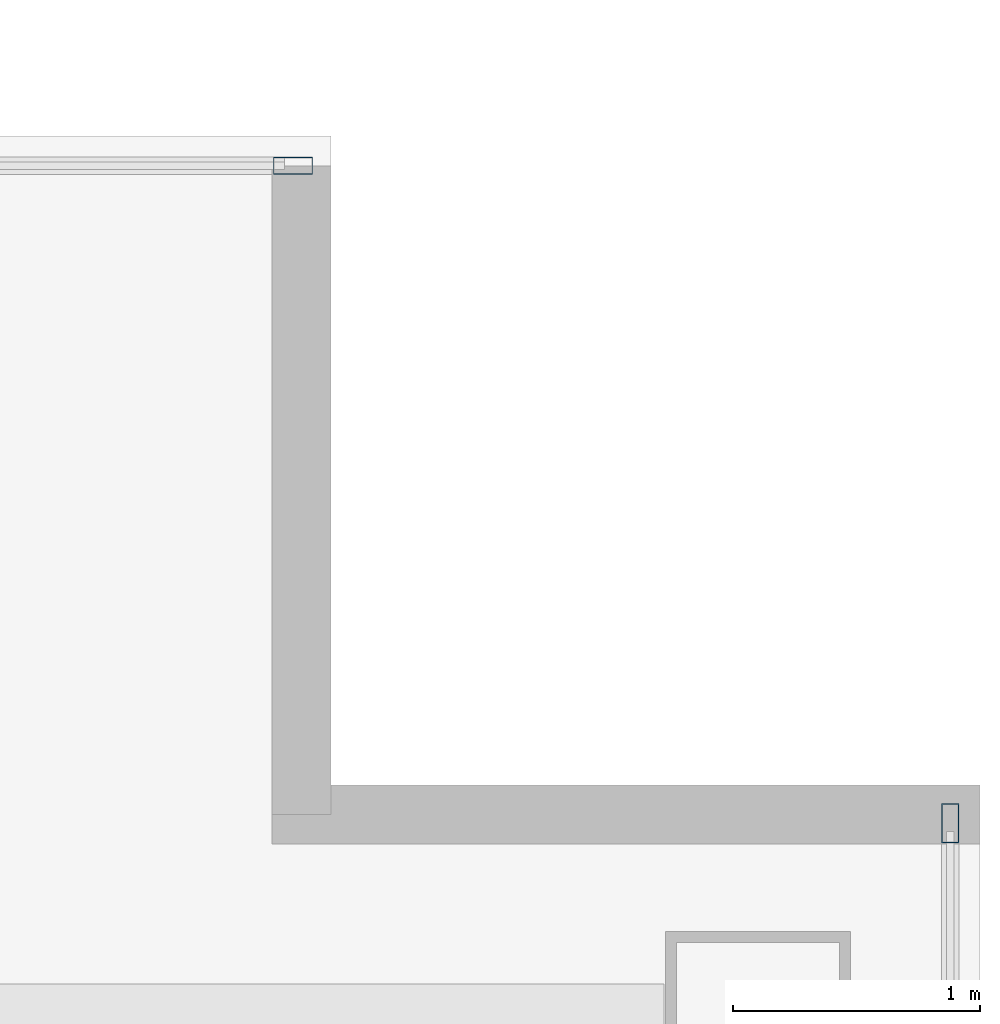
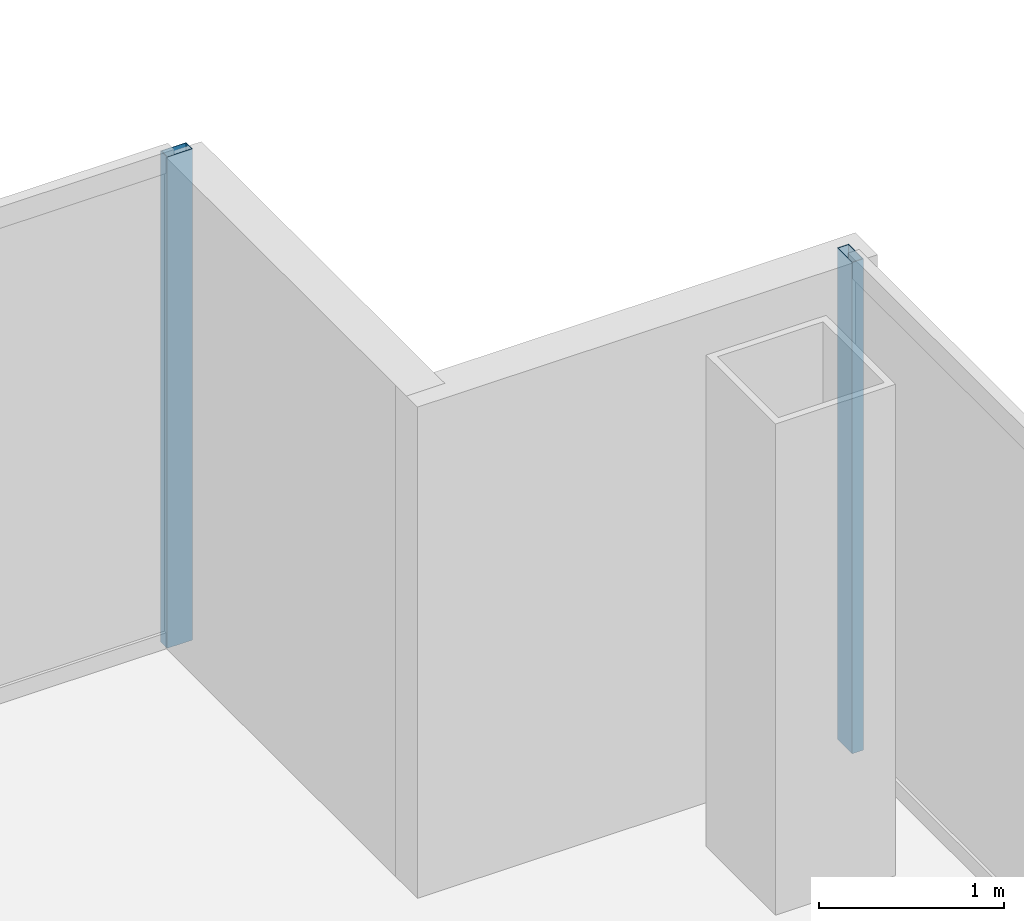
# One storey, part 16 of 23: 2 members, 2 elements without a shape of their own.
"""IFC4 building model written with IfcOpenShell, lengths in metres."""

import ifcopenshell
import ifcopenshell.guid

model = None  # the IFC model being written
_history = None  # IfcOwnerHistory: only IFC2X3 demands one
_inside = {}  # id of a spatial element -> (the spatial element, [elements in it])
_under = {}  # id of a project, library or spatial element -> (it, [spatial elements below it])
_declared = {}  # id of a project -> (the project, [libraries it declares])
_typed = {}  # id of a type object -> (the type object, [elements of that type])
_made_of = {}  # id of a material, layer set ... -> (it, [elements and type objects made of it])


def new_model(schema):
    """Start an empty IFC model of exactly this schema.

    Asked for "IFC4X3", IfcOpenShell would pick the latest addendum, in which some entities
    have other attributes; the version numbers below select the first issue.
    IFC2X3 requires an IfcOwnerHistory on every rooted entity: one is made here for all.
    """
    global model, _history
    if schema == "IFC4X3":
        model = ifcopenshell.file(schema_version=(4, 3, 0, 0))
    else:
        model = ifcopenshell.file(schema=schema)
    _inside.clear()
    _under.clear()
    _declared.clear()
    _typed.clear()
    _made_of.clear()
    _history = None
    if model.schema == "IFC2X3":
        org = make("IfcOrganization", Name="unknown")
        user = make(
            "IfcPersonAndOrganization",
            ThePerson=make("IfcPerson", FamilyName="unknown"),
            TheOrganization=org,
        )
        app = make(
            "IfcApplication",
            ApplicationDeveloper=org,
            Version="unknown",
            ApplicationFullName="unknown",
            ApplicationIdentifier="unknown",
        )
        _history = make(
            "IfcOwnerHistory",
            OwningUser=user,
            OwningApplication=app,
            ChangeAction="ADDED",
            CreationDate=0,
        )
    return model


def make(cls, **values):
    """One entity of the class cls with the attributes given. An attribute that is None is left unset."""
    return model.create_entity(
        cls, **{name: value for name, value in values.items() if value is not None}
    )


def rooted(cls, **values):
    """An entity with a GlobalId (a new one), such as an element, a storey or a relation."""
    return make(cls, GlobalId=ifcopenshell.guid.new(), OwnerHistory=_history, **values)


def si_unit(unit_type, name, prefix=None):
    """IfcSIUnit, for example si_unit("LENGTHUNIT", "METRE", prefix="MILLI")."""
    return make("IfcSIUnit", UnitType=unit_type, Prefix=prefix, Name=name)


def assignment(units):
    """IfcUnitAssignment: the units of a project."""
    return None if units is None else make("IfcUnitAssignment", Units=units)


def point(xyz):
    """IfcCartesianPoint."""
    return None if xyz is None else make("IfcCartesianPoint", Coordinates=xyz)


def direction(xyz):
    """IfcDirection."""
    return None if xyz is None else make("IfcDirection", DirectionRatios=xyz)


def frame(location, z_axis=None, x_axis=None):
    """IfcAxis2Placement3D, a coordinate frame: its origin and axes. An axis left out is left unset."""
    return make(
        "IfcAxis2Placement3D",
        Location=point(location),
        Axis=direction(z_axis),
        RefDirection=direction(x_axis),
    )


def frame_2d(location, x_axis=None):
    """IfcAxis2Placement2D, a coordinate frame in the plane: its origin and x axis."""
    return make(
        "IfcAxis2Placement2D", Location=point(location), RefDirection=direction(x_axis)
    )


def origin():
    """The frame at (0, 0, 0) with its axes left unset."""
    return frame((0.0, 0.0, 0.0))


def origin_2d():
    """The frame at (0, 0) in the plane with its x axis left unset."""
    return frame_2d((0.0, 0.0))


def place(relative_to, where):
    """IfcLocalPlacement: puts the frame where relative to a parent placement (None: the world)."""
    return make(
        "IfcLocalPlacement", PlacementRelTo=relative_to, RelativePlacement=where
    )


def context(
    kind, dimensions, precision=None, world=None, true_north=None, identifier=None
):
    """IfcGeometricRepresentationContext, for example the 3D "Model" context."""
    return make(
        "IfcGeometricRepresentationContext",
        ContextIdentifier=identifier,
        ContextType=kind,
        CoordinateSpaceDimension=dimensions,
        Precision=precision,
        WorldCoordinateSystem=world,
        TrueNorth=true_north,
    )


def subcontext(parent, identifier, kind, view, scale=None):
    """IfcGeometricRepresentationSubContext, for example "Body" below "Model"."""
    return make(
        "IfcGeometricRepresentationSubContext",
        ContextIdentifier=identifier,
        ContextType=kind,
        ParentContext=parent,
        TargetScale=scale,
        TargetView=view,
    )


def project(units=None, contexts=None):
    """IfcProject with its units and contexts."""
    return rooted(
        "IfcProject",
        Name="project",
        RepresentationContexts=contexts,
        UnitsInContext=assignment(units),
    )


def spatial(cls, under=None, at=None, **own):
    """A site, building, storey or space (cls), placed at a placement, below another one or the project."""
    s = rooted(cls, ObjectPlacement=at, **own)
    if under is not None:
        _under.setdefault(under.id(), (under, []))[1].append(s)
    return s


def profile(cls, at=None, kind="AREA", **sizes):
    """A parametric profile (cls). Its sizes go by their IFC names, for example OverallWidth=200.0."""
    return make(cls, ProfileType=kind, Position=at, **sizes)


def hollow_rectangle(**sizes):
    """IfcRectangleHollowProfileDef."""
    return profile("IfcRectangleHollowProfileDef", **sizes)


def extrude(swept, where, along, depth):
    """IfcExtrudedAreaSolid: the profile swept, set in the frame where, extruded along a direction by depth."""
    return make(
        "IfcExtrudedAreaSolid",
        SweptArea=swept,
        Position=where,
        ExtrudedDirection=direction(along),
        Depth=depth,
    )


def shape(context_of_items, identifier, shape_type, items):
    """IfcShapeRepresentation: the items that make up one representation, for example the "Body"."""
    return make(
        "IfcShapeRepresentation",
        ContextOfItems=context_of_items,
        RepresentationIdentifier=identifier,
        RepresentationType=shape_type,
        Items=items,
    )


def material(Name=None, Category=None):
    """IfcMaterial."""
    return make("IfcMaterial", Name=Name, Category=Category)


def material_profile(
    of_material, cross_section, Name=None, Category=None, Priority=None
):
    """IfcMaterialProfile: a cross section and its material."""
    return make(
        "IfcMaterialProfile",
        Name=Name,
        Material=of_material,
        Profile=cross_section,
        Priority=Priority,
        Category=Category,
    )


def profile_set(profiles, Name=None, composite=None):
    """IfcMaterialProfileSet."""
    return make(
        "IfcMaterialProfileSet",
        Name=Name,
        MaterialProfiles=profiles,
        CompositeProfile=composite,
    )


def made_of(thing, what):
    """Note that an element or type object is made of a material, layer set ...; save() writes the relation."""
    if what is not None:
        _made_of.setdefault(what.id(), (what, []))[1].append(thing)
    return thing


def type_object(cls, material=None, **own):
    """A type object (cls), such as IfcWallType, which elements share."""
    return made_of(rooted(cls, **own), material)


def element(
    cls,
    number,
    at=None,
    inside=None,
    cuts=None,
    type_object=None,
    material=None,
    context=None,
    identifier="Body",
    shape_type=None,
    held_by="IfcProductDefinitionShape",
    body=None,
    shapes=None,
    **own,
):
    """One element of the class cls, such as IfcWall. Its Tag is "e" and its number.

    at: its placement. inside: the storey or other place that contains it. cuts: it is an
    opening in that element (IfcRelVoidsElement). A single representation is given by context,
    identifier, shape_type and body (its items); several are given by shapes. held_by: the class
    of the entity that holds the representations. save() writes the other relations.
    """
    e = rooted(cls, Tag="e%d" % number, ObjectPlacement=at, **own)
    if body is not None:
        shapes = [shape(context, identifier, shape_type, body)]
    if shapes is not None:
        e.Representation = make(held_by, Representations=shapes)
    if inside is not None:
        _inside.setdefault(inside.id(), (inside, []))[1].append(e)
    if cuts is not None:
        rooted(
            "IfcRelVoidsElement", RelatingBuildingElement=cuts, RelatedOpeningElement=e
        )
    if type_object is not None:
        _typed.setdefault(type_object.id(), (type_object, []))[1].append(e)
    return made_of(e, material)


def aggregate(whole, parts):
    """IfcRelAggregates: a whole, such as a stair, and the parts it consists of."""
    return rooted("IfcRelAggregates", RelatingObject=whole, RelatedObjects=parts)


def save(model, path):
    """Write the relations noted so far, then the file.

    IfcRelAggregates (storeys below a building ...), IfcRelContainedInSpatialStructure (elements
    in a storey), IfcRelDefinesByType, IfcRelAssociatesMaterial and IfcRelDeclares: one each for
    every whole, place, type object, material and project.
    """
    for whole, parts in _under.values():
        aggregate(whole, parts)
    for where, things in _inside.values():
        rooted(
            "IfcRelContainedInSpatialStructure",
            RelatedElements=things,
            RelatingStructure=where,
        )
    for kind, things in _typed.values():
        rooted("IfcRelDefinesByType", RelatedObjects=things, RelatingType=kind)
    for what, things in _made_of.values():
        rooted("IfcRelAssociatesMaterial", RelatedObjects=things, RelatingMaterial=what)
    for by, libraries in _declared.values():
        rooted("IfcRelDeclares", RelatingContext=by, RelatedDefinitions=libraries)
    model.write(path)


model = new_model("IFC4")

# Units and contexts
model_context = context("Model", 3, precision=1e-05, world=origin(), true_north=direction((0.0, 1.0)))
body_context = subcontext(model_context, "Body", "Model", "MODEL_VIEW")
ifc_project = project(units=[si_unit("LENGTHUNIT", "METRE"), si_unit("AREAUNIT", "SQUARE_METRE"), si_unit("VOLUMEUNIT", "CUBIC_METRE"), si_unit("PLANEANGLEUNIT", "RADIAN"), si_unit("MASSUNIT", "GRAM", prefix="KILO")], contexts=[model_context])

# Site, building, storey
site_placement = place(None, origin())
site = spatial("IfcSite", under=ifc_project, at=site_placement, CompositionType="ELEMENT")
building_placement = place(site_placement, origin())
building = spatial("IfcBuilding", under=site, at=building_placement, Name="Cobrela Telecom Tower", CompositionType="ELEMENT")
storey_placement = place(building_placement, frame((0.0, 0.0, 215.25)))
storey = spatial("IfcBuildingStorey", under=building, at=storey_placement, Name="L55", CompositionType="ELEMENT", Elevation=215.25)

# Curtain wall, member
ifc_material = material(Name="Anodized Bronze Aluminium 6063-T6", Category="aluminium")
curtain_wall_type = type_object("IfcCurtainWallType", Name="CW-SYS-OFF-LO", PredefinedType="USERDEFINED", material=ifc_material)
curtain_wall_1_placement = place(storey_placement, origin())
curtain_wall_1 = element("IfcCurtainWall", 1, at=curtain_wall_1_placement, inside=storey, type_object=curtain_wall_type, Name="L55 Unitised Bronze Curtain Wall 11", ObjectType="UNITISED CURTAIN WALL", PredefinedType="USERDEFINED")
ifc_material_profile = material_profile(ifc_material, hollow_rectangle(XDim=0.070068359375, YDim=0.159912109375, WallThickness=0.00390625, at=origin_2d()), Name="ALU 70x160x4")
ifc_profile_set = profile_set([ifc_material_profile], Name="Anodized Bronze Aluminium 6063-T6")
member_type = type_object("IfcMemberType", Name="CW-SYS-OFF-LO-MUL", PredefinedType="MULLION", material=ifc_profile_set)
member_1_placement = place(storey_placement, frame((41.215087890625, 25.080078125, 0.0), z_axis=(0.0, 0.0, 1.0), x_axis=(0.0, 1.0, 0.0)))
member_1 = element("IfcMember", 2, at=member_1_placement, type_object=member_type, Name="CW-OFF-LO mullion 3", PredefinedType="MULLION", context=body_context, shape_type="SweptSolid", body=[
    extrude(hollow_rectangle(XDim=0.070068359375, YDim=0.159912109375, WallThickness=0.00390625, at=origin_2d()), origin(), (0.0, 0.0, 1.0), 3.239990234375),
])
aggregate(curtain_wall_1, [member_1])

curtain_wall_2_placement = place(storey_placement, origin())
curtain_wall_2 = element("IfcCurtainWall", 3, at=curtain_wall_2_placement, inside=storey, type_object=curtain_wall_type, Name="L55 Unitised Bronze Curtain Wall 14", ObjectType="UNITISED CURTAIN WALL", PredefinedType="USERDEFINED")
member_2_placement = place(storey_placement, frame((43.8798828125, 22.4150390625, 0.0), z_axis=(0.0, 0.0, 1.0), x_axis=(1.0, 0.0, 0.0)))
member_2 = element("IfcMember", 4, at=member_2_placement, type_object=member_type, Name="CW-OFF-LO mullion 1", PredefinedType="MULLION", context=body_context, shape_type="SweptSolid", body=[
    extrude(hollow_rectangle(XDim=0.070068359375, YDim=0.159912109375, WallThickness=0.00390625, at=origin_2d()), origin(), (0.0, 0.0, 1.0), 3.239990234375),
])
aggregate(curtain_wall_2, [member_2])

save(model, "model.ifc")
